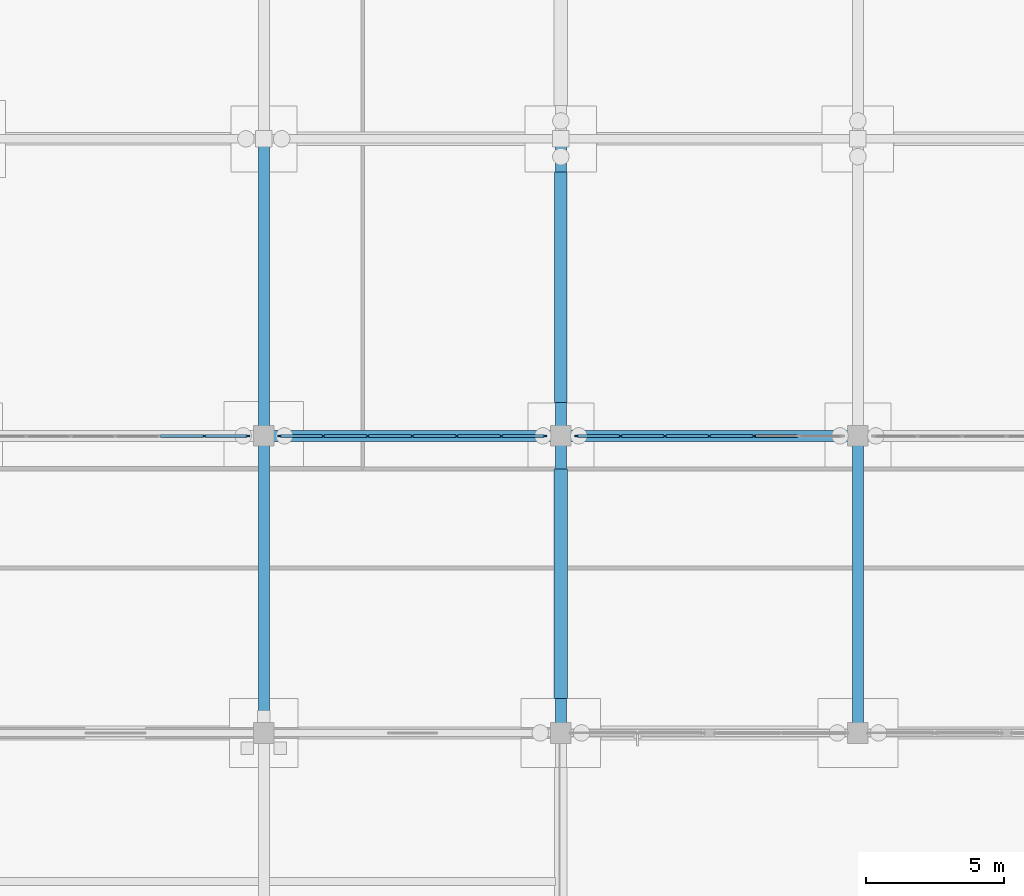
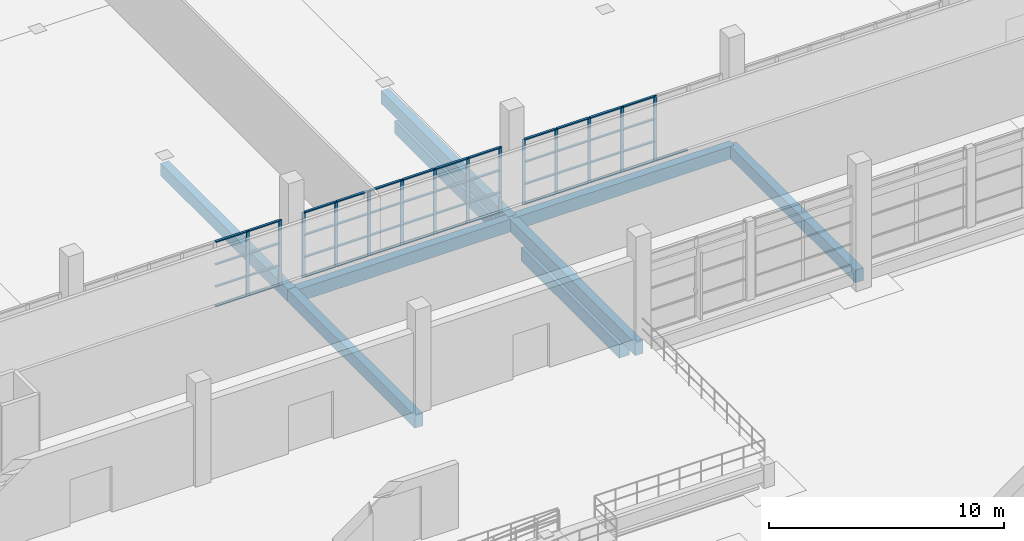
# One storey, part 37 of 138: 63 members, 9 beams, 3 elements without a shape of their own.
"""IFC4 building model written with IfcOpenShell, lengths in metres."""

from ifc_helpers import new_model, si_unit, direction, frame, origin, origin_2d, place, context, subcontext, project, spatial, rectangle, extrude, material, material_profile, profile_set, type_object, element, aggregate, save


model = new_model("IFC4")

# Units and contexts
model_context = context("Model", 3, precision=1e-05, world=origin(), true_north=direction((0.0, 1.0)))
body_context = subcontext(model_context, "Body", "Model", "MODEL_VIEW")
ifc_project = project(units=[si_unit("LENGTHUNIT", "METRE"), si_unit("AREAUNIT", "SQUARE_METRE"), si_unit("VOLUMEUNIT", "CUBIC_METRE"), si_unit("PLANEANGLEUNIT", "RADIAN"), si_unit("MASSUNIT", "GRAM", prefix="KILO")], contexts=[model_context])

# Site, building, storey
site_placement = place(None, origin())
site = spatial("IfcSite", under=ifc_project, at=site_placement, CompositionType="ELEMENT")
building_placement = place(site_placement, origin())
building = spatial("IfcBuilding", under=site, at=building_placement, Name="Zwinboog Wholesale Market", CompositionType="ELEMENT")
storey_placement = place(building_placement, origin())
storey = spatial("IfcBuildingStorey", under=building, at=storey_placement, Name="L00", CompositionType="ELEMENT", Elevation=0.0)

# Beams
ifc_material_1 = material(Name="Precast concrete C45/55", Category="concrete")
ifc_material_profile_1 = material_profile(ifc_material_1, rectangle(XDim=0.39990234375, YDim=0.64990234375, at=origin_2d()), Name="PC 400x650")
ifc_profile_set_1 = profile_set([ifc_material_profile_1], Name="Precast concrete C45/55")
beam_type_1 = type_object("IfcBeamType", Name="BT-05", PredefinedType="BEAM", material=ifc_profile_set_1)
for number, where, z_axis, x_axis, name in (
    (1, (97.199951171875, 54.0, -0.705078125), (1.0, 0.0, 0.0), (0.0, 1.0, 0.0), "BG-05 (BMG-L00-0972-0540-0076)"),
    (2, (108.0, 54.0, -0.705078125), (1.0, 0.0, 0.0), (0.0, 1.0, 0.0), "BG-05 (BMG-L00-1080-0540-0077)"),
    (3, (97.199951171875, 43.199951171875, -0.680908203125), (0.0, 1.0, 0.0), (-1.0, 0.0, 0.0), "BG-05 (BMG-L00-0972-0432-0301)"),
    (4, (97.199951171875, 54.0, -0.680908203125), (0.0, 1.0, 0.0), (-1.0, 0.0, 0.0), "BG-05 (BMG-L00-0972-0540-0302)"),
    (5, (108.0, 43.199951171875, -0.705078125), (0.0, 1.0, 0.0), (-1.0, 0.0, 0.0), "BG-05 (BMG-L00-1080-0432-0311)"),
    (6, (108.0, 54.0, -0.705078125), (0.0, 1.0, 0.0), (-1.0, 0.0, 0.0), "BG-05 (BMG-L00-1080-0540-0312)"),
    (7, (118.800048828125, 43.199951171875, -0.705078125), (0.0, 1.0, 0.0), (-1.0, 0.0, 0.0), "BG-05 (BMG-L00-1188-0432-0321)"),
):
    element("IfcBeam", number, at=place(storey_placement, frame(where, z_axis=z_axis, x_axis=x_axis)), inside=storey, type_object=beam_type_1, Name=name, PredefinedType="BEAM", context=body_context, shape_type="SweptSolid", body=[
        extrude(rectangle(XDim=0.39990234375, YDim=0.64990234375, at=origin_2d()), origin(), (0.0, 0.0, 1.0), 10.800048828125),
    ])
ifc_material_2 = material(Name="Concrete C35/45", Category="concrete")
ifc_material_profile_2 = material_profile(ifc_material_2, rectangle(XDim=0.5, YDim=0.699951171875, at=origin_2d()), Name="RC 500x700")
ifc_profile_set_2 = profile_set([ifc_material_profile_2], Name="Concrete C35/45")
beam_type_2 = type_object("IfcBeamType", Name="BT-12", PredefinedType="USERDEFINED", material=ifc_profile_set_2)
beam_1_placement = place(storey_placement, frame((108.0, 44.455078125, -1.550048828125), z_axis=(0.0, 1.0, 0.0), x_axis=(-1.0, 0.0, 0.0)))
element("IfcBeam", 8, at=beam_1_placement, inside=storey, type_object=beam_type_2, Name="GB-01 (BM-GB-0164)", ObjectType="GROUND_BEAM", PredefinedType="USERDEFINED", context=body_context, shape_type="SweptSolid", body=[
    extrude(rectangle(XDim=0.5, YDim=0.699951171875, at=origin_2d()), origin(), (0.0, 0.0, 1.0), 8.33984375),
])
ifc_material_profile_3 = material_profile(ifc_material_2, rectangle(XDim=0.449951171875, YDim=0.64990234375, at=origin_2d()), Name="RC 450x650")
ifc_profile_set_3 = profile_set([ifc_material_profile_3], Name="Concrete C35/45")
beam_type_3 = type_object("IfcBeamType", Name="BT-13", PredefinedType="USERDEFINED", material=ifc_profile_set_3)
beam_2_placement = place(storey_placement, frame((108.0, 55.205078125, -1.52490234375), z_axis=(0.0, 1.0, 0.0), x_axis=(-1.0, 0.0, 0.0)))
element("IfcBeam", 9, at=beam_2_placement, inside=storey, type_object=beam_type_3, Name="GB-02 (BM-GB-0165)", ObjectType="GROUND_BEAM", PredefinedType="USERDEFINED", context=body_context, shape_type="SweptSolid", body=[
    extrude(rectangle(XDim=0.449951171875, YDim=0.64990234375, at=origin_2d()), origin(), (0.0, 0.0, 1.0), 8.389892578125),
])

# Curtain wall, members
ifc_material_3 = material(Name="Aluminium thermally broken curtain wall", Category="aluminium")
curtain_wall_type = type_object("IfcCurtainWallType", Name="CWT-INT-STALL", PredefinedType="USERDEFINED", material=ifc_material_3)
curtain_wall_1_placement = place(storey_placement, origin())
curtain_wall_1 = element("IfcCurtainWall", 10, at=curtain_wall_1_placement, inside=storey, type_object=curtain_wall_type, Name="CW-07 (CW-STL-183)", ObjectType="STOREFRONT_GLAZING", PredefinedType="USERDEFINED")
ifc_material_4 = material(Name="Aluminium EN AW-6060", Category="aluminium")
ifc_material_profile_4 = material_profile(ifc_material_4, rectangle(XDim=0.06005859375, YDim=0.14990234375, at=origin_2d()), Name="AL 60x150")
ifc_profile_set_4 = profile_set([ifc_material_profile_4], Name="Aluminium EN AW-6060")
member_type_1 = type_object("IfcMemberType", Name="CWM-INT-60x120", PredefinedType="MULLION", material=ifc_profile_set_4)
member_1_placement = place(storey_placement, frame((95.033447265625, 54.0, 0.0), z_axis=(0.0, 0.0, 1.0), x_axis=(0.0, 1.0, 0.0)))
member_1 = element("IfcMember", 11, at=member_1_placement, type_object=member_type_1, Name="CW-07 mullion 6", PredefinedType="MULLION", context=body_context, shape_type="SweptSolid", body=[
    extrude(rectangle(XDim=0.06005859375, YDim=0.14990234375, at=origin_2d()), origin(), (0.0, 0.0, 1.0), 3.39990234375),
])
member_2_placement = place(storey_placement, frame((96.6201171875, 54.0, 0.0), z_axis=(0.0, 0.0, 1.0), x_axis=(0.0, 1.0, 0.0)))
member_2 = element("IfcMember", 12, at=member_2_placement, type_object=member_type_1, Name="CW-07 mullion 7", PredefinedType="MULLION", context=body_context, shape_type="SweptSolid", body=[
    extrude(rectangle(XDim=0.06005859375, YDim=0.14990234375, at=origin_2d()), origin(), (0.0, 0.0, 1.0), 3.39990234375),
])

curtain_wall_2_placement = place(storey_placement, origin())
curtain_wall_2 = element("IfcCurtainWall", 13, at=curtain_wall_2_placement, inside=storey, type_object=curtain_wall_type, Name="CW-07 (CW-STL-184)", ObjectType="STOREFRONT_GLAZING", PredefinedType="USERDEFINED")
member_3_placement = place(storey_placement, frame((97.780029296875, 54.0, 0.0), z_axis=(0.0, 0.0, 1.0), x_axis=(0.0, 1.0, 0.0)))
member_3 = element("IfcMember", 14, at=member_3_placement, type_object=member_type_1, Name="CW-07 mullion 1", PredefinedType="MULLION", context=body_context, shape_type="SweptSolid", body=[
    extrude(rectangle(XDim=0.06005859375, YDim=0.14990234375, at=origin_2d()), origin(), (0.0, 0.0, 1.0), 3.39990234375),
])
member_4_placement = place(storey_placement, frame((99.36669921875, 54.0, 0.0), z_axis=(0.0, 0.0, 1.0), x_axis=(0.0, 1.0, 0.0)))
member_4 = element("IfcMember", 15, at=member_4_placement, type_object=member_type_1, Name="CW-07 mullion 2", PredefinedType="MULLION", context=body_context, shape_type="SweptSolid", body=[
    extrude(rectangle(XDim=0.06005859375, YDim=0.14990234375, at=origin_2d()), origin(), (0.0, 0.0, 1.0), 3.39990234375),
])
member_5_placement = place(storey_placement, frame((100.9833984375, 54.0, 0.0), z_axis=(0.0, 0.0, 1.0), x_axis=(0.0, 1.0, 0.0)))
member_5 = element("IfcMember", 16, at=member_5_placement, type_object=member_type_1, Name="CW-07 mullion 3", PredefinedType="MULLION", context=body_context, shape_type="SweptSolid", body=[
    extrude(rectangle(XDim=0.06005859375, YDim=0.14990234375, at=origin_2d()), origin(), (0.0, 0.0, 1.0), 3.39990234375),
])
member_6_placement = place(storey_placement, frame((102.60009765625, 54.0, 0.0), z_axis=(0.0, 0.0, 1.0), x_axis=(0.0, 1.0, 0.0)))
member_6 = element("IfcMember", 17, at=member_6_placement, type_object=member_type_1, Name="CW-07 mullion 4", PredefinedType="MULLION", context=body_context, shape_type="SweptSolid", body=[
    extrude(rectangle(XDim=0.06005859375, YDim=0.14990234375, at=origin_2d()), origin(), (0.0, 0.0, 1.0), 3.39990234375),
])
member_7_placement = place(storey_placement, frame((104.216552734375, 54.0, 0.0), z_axis=(0.0, 0.0, 1.0), x_axis=(0.0, 1.0, 0.0)))
member_7 = element("IfcMember", 18, at=member_7_placement, type_object=member_type_1, Name="CW-07 mullion 5", PredefinedType="MULLION", context=body_context, shape_type="SweptSolid", body=[
    extrude(rectangle(XDim=0.06005859375, YDim=0.14990234375, at=origin_2d()), origin(), (0.0, 0.0, 1.0), 3.39990234375),
])
member_8_placement = place(storey_placement, frame((105.833251953125, 54.0, 0.0), z_axis=(0.0, 0.0, 1.0), x_axis=(0.0, 1.0, 0.0)))
member_8 = element("IfcMember", 19, at=member_8_placement, type_object=member_type_1, Name="CW-07 mullion 6", PredefinedType="MULLION", context=body_context, shape_type="SweptSolid", body=[
    extrude(rectangle(XDim=0.06005859375, YDim=0.14990234375, at=origin_2d()), origin(), (0.0, 0.0, 1.0), 3.39990234375),
])
member_9_placement = place(storey_placement, frame((107.419921875, 54.0, 0.0), z_axis=(0.0, 0.0, 1.0), x_axis=(0.0, 1.0, 0.0)))
member_9 = element("IfcMember", 20, at=member_9_placement, type_object=member_type_1, Name="CW-07 mullion 7", PredefinedType="MULLION", context=body_context, shape_type="SweptSolid", body=[
    extrude(rectangle(XDim=0.06005859375, YDim=0.14990234375, at=origin_2d()), origin(), (0.0, 0.0, 1.0), 3.39990234375),
])

curtain_wall_3_placement = place(storey_placement, origin())
curtain_wall_3 = element("IfcCurtainWall", 21, at=curtain_wall_3_placement, inside=storey, type_object=curtain_wall_type, Name="CW-07 (CW-STL-185)", ObjectType="STOREFRONT_GLAZING", PredefinedType="USERDEFINED")
member_10_placement = place(storey_placement, frame((108.580078125, 54.0, 0.0), z_axis=(0.0, 0.0, 1.0), x_axis=(0.0, 1.0, 0.0)))
member_10 = element("IfcMember", 22, at=member_10_placement, type_object=member_type_1, Name="CW-07 mullion 1", PredefinedType="MULLION", context=body_context, shape_type="SweptSolid", body=[
    extrude(rectangle(XDim=0.06005859375, YDim=0.14990234375, at=origin_2d()), origin(), (0.0, 0.0, 1.0), 3.39990234375),
])
member_11_placement = place(storey_placement, frame((110.166748046875, 54.0, 0.0), z_axis=(0.0, 0.0, 1.0), x_axis=(0.0, 1.0, 0.0)))
member_11 = element("IfcMember", 23, at=member_11_placement, type_object=member_type_1, Name="CW-07 mullion 2", PredefinedType="MULLION", context=body_context, shape_type="SweptSolid", body=[
    extrude(rectangle(XDim=0.06005859375, YDim=0.14990234375, at=origin_2d()), origin(), (0.0, 0.0, 1.0), 3.39990234375),
])
member_12_placement = place(storey_placement, frame((111.783447265625, 54.0, 0.0), z_axis=(0.0, 0.0, 1.0), x_axis=(0.0, 1.0, 0.0)))
member_12 = element("IfcMember", 24, at=member_12_placement, type_object=member_type_1, Name="CW-07 mullion 3", PredefinedType="MULLION", context=body_context, shape_type="SweptSolid", body=[
    extrude(rectangle(XDim=0.06005859375, YDim=0.14990234375, at=origin_2d()), origin(), (0.0, 0.0, 1.0), 3.39990234375),
])
member_13_placement = place(storey_placement, frame((113.39990234375, 54.0, 0.0), z_axis=(0.0, 0.0, 1.0), x_axis=(0.0, 1.0, 0.0)))
member_13 = element("IfcMember", 25, at=member_13_placement, type_object=member_type_1, Name="CW-07 mullion 4", PredefinedType="MULLION", context=body_context, shape_type="SweptSolid", body=[
    extrude(rectangle(XDim=0.06005859375, YDim=0.14990234375, at=origin_2d()), origin(), (0.0, 0.0, 1.0), 3.39990234375),
])
member_14_placement = place(storey_placement, frame((115.0166015625, 54.0, 0.0), z_axis=(0.0, 0.0, 1.0), x_axis=(0.0, 1.0, 0.0)))
member_14 = element("IfcMember", 26, at=member_14_placement, type_object=member_type_1, Name="CW-07 mullion 5", PredefinedType="MULLION", context=body_context, shape_type="SweptSolid", body=[
    extrude(rectangle(XDim=0.06005859375, YDim=0.14990234375, at=origin_2d()), origin(), (0.0, 0.0, 1.0), 3.39990234375),
])

# Member
ifc_material_profile_5 = material_profile(ifc_material_4, rectangle(XDim=0.110107421875, YDim=0.06005859375, at=origin_2d()), Name="AL 60x110")
ifc_profile_set_5 = profile_set([ifc_material_profile_5], Name="Aluminium EN AW-6060")
member_type_2 = type_object("IfcMemberType", Name="CWT-INT-60x100", PredefinedType="USERDEFINED", material=ifc_profile_set_5)
member_15_placement = place(storey_placement, frame((93.44677734375, 54.0, 0.030029296875), z_axis=(1.0, 0.0, 0.0), x_axis=(0.0, 1.0, 0.0)))
member_15 = element("IfcMember", 27, at=member_15_placement, type_object=member_type_2, Name="CW-07 transom 5.1", ObjectType="TRANSOM", PredefinedType="USERDEFINED", context=body_context, shape_type="SweptSolid", body=[
    extrude(rectangle(XDim=0.110107421875, YDim=0.06005859375, at=origin_2d()), origin(), (0.0, 0.0, 1.0), 1.556640625),
])

member_16_placement = place(storey_placement, frame((93.44677734375, 54.0, 1.050048828125), z_axis=(1.0, 0.0, 0.0), x_axis=(0.0, 1.0, 0.0)))
member_16 = element("IfcMember", 28, at=member_16_placement, type_object=member_type_2, Name="CW-07 transom 5.2", ObjectType="TRANSOM", PredefinedType="USERDEFINED", context=body_context, shape_type="SweptSolid", body=[
    extrude(rectangle(XDim=0.110107421875, YDim=0.06005859375, at=origin_2d()), origin(), (0.0, 0.0, 1.0), 1.556640625),
])

member_17_placement = place(storey_placement, frame((93.44677734375, 54.0, 2.199951171875), z_axis=(1.0, 0.0, 0.0), x_axis=(0.0, 1.0, 0.0)))
member_17 = element("IfcMember", 29, at=member_17_placement, type_object=member_type_2, Name="CW-07 transom 5.3", ObjectType="TRANSOM", PredefinedType="USERDEFINED", context=body_context, shape_type="SweptSolid", body=[
    extrude(rectangle(XDim=0.110107421875, YDim=0.06005859375, at=origin_2d()), origin(), (0.0, 0.0, 1.0), 1.556640625),
])

member_18_placement = place(storey_placement, frame((93.44677734375, 54.0, 3.3701171875), z_axis=(1.0, 0.0, 0.0), x_axis=(0.0, 1.0, 0.0)))
member_18 = element("IfcMember", 30, at=member_18_placement, type_object=member_type_2, Name="CW-07 transom 5.4", ObjectType="TRANSOM", PredefinedType="USERDEFINED", context=body_context, shape_type="SweptSolid", body=[
    extrude(rectangle(XDim=0.110107421875, YDim=0.06005859375, at=origin_2d()), origin(), (0.0, 0.0, 1.0), 1.556640625),
])

member_19_placement = place(storey_placement, frame((95.063232421875, 54.0, 0.030029296875), z_axis=(1.0, 0.0, 0.0), x_axis=(0.0, 1.0, 0.0)))
member_19 = element("IfcMember", 31, at=member_19_placement, type_object=member_type_2, Name="CW-07 transom 6.1", ObjectType="TRANSOM", PredefinedType="USERDEFINED", context=body_context, shape_type="SweptSolid", body=[
    extrude(rectangle(XDim=0.110107421875, YDim=0.06005859375, at=origin_2d()), origin(), (0.0, 0.0, 1.0), 1.52685546875),
])

member_20_placement = place(storey_placement, frame((95.063232421875, 54.0, 1.050048828125), z_axis=(1.0, 0.0, 0.0), x_axis=(0.0, 1.0, 0.0)))
member_20 = element("IfcMember", 32, at=member_20_placement, type_object=member_type_2, Name="CW-07 transom 6.2", ObjectType="TRANSOM", PredefinedType="USERDEFINED", context=body_context, shape_type="SweptSolid", body=[
    extrude(rectangle(XDim=0.110107421875, YDim=0.06005859375, at=origin_2d()), origin(), (0.0, 0.0, 1.0), 1.52685546875),
])

member_21_placement = place(storey_placement, frame((95.063232421875, 54.0, 2.199951171875), z_axis=(1.0, 0.0, 0.0), x_axis=(0.0, 1.0, 0.0)))
member_21 = element("IfcMember", 33, at=member_21_placement, type_object=member_type_2, Name="CW-07 transom 6.3", ObjectType="TRANSOM", PredefinedType="USERDEFINED", context=body_context, shape_type="SweptSolid", body=[
    extrude(rectangle(XDim=0.110107421875, YDim=0.06005859375, at=origin_2d()), origin(), (0.0, 0.0, 1.0), 1.52685546875),
])

member_22_placement = place(storey_placement, frame((95.063232421875, 54.0, 3.3701171875), z_axis=(1.0, 0.0, 0.0), x_axis=(0.0, 1.0, 0.0)))
member_22 = element("IfcMember", 34, at=member_22_placement, type_object=member_type_2, Name="CW-07 transom 6.4", ObjectType="TRANSOM", PredefinedType="USERDEFINED", context=body_context, shape_type="SweptSolid", body=[
    extrude(rectangle(XDim=0.110107421875, YDim=0.06005859375, at=origin_2d()), origin(), (0.0, 0.0, 1.0), 1.52685546875),
])

aggregate(curtain_wall_1, [member_1, member_2, member_15, member_16, member_17, member_18, member_19, member_20, member_21, member_22])

member_23_placement = place(storey_placement, frame((97.81005859375, 54.0, 0.030029296875), z_axis=(1.0, 0.0, 0.0), x_axis=(0.0, 1.0, 0.0)))
member_23 = element("IfcMember", 35, at=member_23_placement, type_object=member_type_2, Name="CW-07 transom 1.1", ObjectType="TRANSOM", PredefinedType="USERDEFINED", context=body_context, shape_type="SweptSolid", body=[
    extrude(rectangle(XDim=0.110107421875, YDim=0.06005859375, at=origin_2d()), origin(), (0.0, 0.0, 1.0), 1.526611328125),
])

member_24_placement = place(storey_placement, frame((97.81005859375, 54.0, 1.050048828125), z_axis=(1.0, 0.0, 0.0), x_axis=(0.0, 1.0, 0.0)))
member_24 = element("IfcMember", 36, at=member_24_placement, type_object=member_type_2, Name="CW-07 transom 1.2", ObjectType="TRANSOM", PredefinedType="USERDEFINED", context=body_context, shape_type="SweptSolid", body=[
    extrude(rectangle(XDim=0.110107421875, YDim=0.06005859375, at=origin_2d()), origin(), (0.0, 0.0, 1.0), 1.526611328125),
])

member_25_placement = place(storey_placement, frame((97.81005859375, 54.0, 2.199951171875), z_axis=(1.0, 0.0, 0.0), x_axis=(0.0, 1.0, 0.0)))
member_25 = element("IfcMember", 37, at=member_25_placement, type_object=member_type_2, Name="CW-07 transom 1.3", ObjectType="TRANSOM", PredefinedType="USERDEFINED", context=body_context, shape_type="SweptSolid", body=[
    extrude(rectangle(XDim=0.110107421875, YDim=0.06005859375, at=origin_2d()), origin(), (0.0, 0.0, 1.0), 1.526611328125),
])

member_26_placement = place(storey_placement, frame((97.81005859375, 54.0, 3.3701171875), z_axis=(1.0, 0.0, 0.0), x_axis=(0.0, 1.0, 0.0)))
member_26 = element("IfcMember", 38, at=member_26_placement, type_object=member_type_2, Name="CW-07 transom 1.4", ObjectType="TRANSOM", PredefinedType="USERDEFINED", context=body_context, shape_type="SweptSolid", body=[
    extrude(rectangle(XDim=0.110107421875, YDim=0.06005859375, at=origin_2d()), origin(), (0.0, 0.0, 1.0), 1.526611328125),
])

member_27_placement = place(storey_placement, frame((99.396728515625, 54.0, 0.030029296875), z_axis=(1.0, 0.0, 0.0), x_axis=(0.0, 1.0, 0.0)))
member_27 = element("IfcMember", 39, at=member_27_placement, type_object=member_type_2, Name="CW-07 transom 2.1", ObjectType="TRANSOM", PredefinedType="USERDEFINED", context=body_context, shape_type="SweptSolid", body=[
    extrude(rectangle(XDim=0.110107421875, YDim=0.06005859375, at=origin_2d()), origin(), (0.0, 0.0, 1.0), 1.556640625),
])

member_28_placement = place(storey_placement, frame((99.396728515625, 54.0, 1.050048828125), z_axis=(1.0, 0.0, 0.0), x_axis=(0.0, 1.0, 0.0)))
member_28 = element("IfcMember", 40, at=member_28_placement, type_object=member_type_2, Name="CW-07 transom 2.2", ObjectType="TRANSOM", PredefinedType="USERDEFINED", context=body_context, shape_type="SweptSolid", body=[
    extrude(rectangle(XDim=0.110107421875, YDim=0.06005859375, at=origin_2d()), origin(), (0.0, 0.0, 1.0), 1.556640625),
])

member_29_placement = place(storey_placement, frame((99.396728515625, 54.0, 2.199951171875), z_axis=(1.0, 0.0, 0.0), x_axis=(0.0, 1.0, 0.0)))
member_29 = element("IfcMember", 41, at=member_29_placement, type_object=member_type_2, Name="CW-07 transom 2.3", ObjectType="TRANSOM", PredefinedType="USERDEFINED", context=body_context, shape_type="SweptSolid", body=[
    extrude(rectangle(XDim=0.110107421875, YDim=0.06005859375, at=origin_2d()), origin(), (0.0, 0.0, 1.0), 1.556640625),
])

member_30_placement = place(storey_placement, frame((99.396728515625, 54.0, 3.3701171875), z_axis=(1.0, 0.0, 0.0), x_axis=(0.0, 1.0, 0.0)))
member_30 = element("IfcMember", 42, at=member_30_placement, type_object=member_type_2, Name="CW-07 transom 2.4", ObjectType="TRANSOM", PredefinedType="USERDEFINED", context=body_context, shape_type="SweptSolid", body=[
    extrude(rectangle(XDim=0.110107421875, YDim=0.06005859375, at=origin_2d()), origin(), (0.0, 0.0, 1.0), 1.556640625),
])

member_31_placement = place(storey_placement, frame((101.013427734375, 54.0, 0.030029296875), z_axis=(1.0, 0.0, 0.0), x_axis=(0.0, 1.0, 0.0)))
member_31 = element("IfcMember", 43, at=member_31_placement, type_object=member_type_2, Name="CW-07 transom 3.1", ObjectType="TRANSOM", PredefinedType="USERDEFINED", context=body_context, shape_type="SweptSolid", body=[
    extrude(rectangle(XDim=0.110107421875, YDim=0.06005859375, at=origin_2d()), origin(), (0.0, 0.0, 1.0), 1.556640625),
])

member_32_placement = place(storey_placement, frame((101.013427734375, 54.0, 1.050048828125), z_axis=(1.0, 0.0, 0.0), x_axis=(0.0, 1.0, 0.0)))
member_32 = element("IfcMember", 44, at=member_32_placement, type_object=member_type_2, Name="CW-07 transom 3.2", ObjectType="TRANSOM", PredefinedType="USERDEFINED", context=body_context, shape_type="SweptSolid", body=[
    extrude(rectangle(XDim=0.110107421875, YDim=0.06005859375, at=origin_2d()), origin(), (0.0, 0.0, 1.0), 1.556640625),
])

member_33_placement = place(storey_placement, frame((101.013427734375, 54.0, 2.199951171875), z_axis=(1.0, 0.0, 0.0), x_axis=(0.0, 1.0, 0.0)))
member_33 = element("IfcMember", 45, at=member_33_placement, type_object=member_type_2, Name="CW-07 transom 3.3", ObjectType="TRANSOM", PredefinedType="USERDEFINED", context=body_context, shape_type="SweptSolid", body=[
    extrude(rectangle(XDim=0.110107421875, YDim=0.06005859375, at=origin_2d()), origin(), (0.0, 0.0, 1.0), 1.556640625),
])

member_34_placement = place(storey_placement, frame((101.013427734375, 54.0, 3.3701171875), z_axis=(1.0, 0.0, 0.0), x_axis=(0.0, 1.0, 0.0)))
member_34 = element("IfcMember", 46, at=member_34_placement, type_object=member_type_2, Name="CW-07 transom 3.4", ObjectType="TRANSOM", PredefinedType="USERDEFINED", context=body_context, shape_type="SweptSolid", body=[
    extrude(rectangle(XDim=0.110107421875, YDim=0.06005859375, at=origin_2d()), origin(), (0.0, 0.0, 1.0), 1.556640625),
])

member_35_placement = place(storey_placement, frame((102.6298828125, 54.0, 0.030029296875), z_axis=(1.0, 0.0, 0.0), x_axis=(0.0, 1.0, 0.0)))
member_35 = element("IfcMember", 47, at=member_35_placement, type_object=member_type_2, Name="CW-07 transom 4.1", ObjectType="TRANSOM", PredefinedType="USERDEFINED", context=body_context, shape_type="SweptSolid", body=[
    extrude(rectangle(XDim=0.110107421875, YDim=0.06005859375, at=origin_2d()), origin(), (0.0, 0.0, 1.0), 1.556884765625),
])

member_36_placement = place(storey_placement, frame((102.6298828125, 54.0, 1.050048828125), z_axis=(1.0, 0.0, 0.0), x_axis=(0.0, 1.0, 0.0)))
member_36 = element("IfcMember", 48, at=member_36_placement, type_object=member_type_2, Name="CW-07 transom 4.2", ObjectType="TRANSOM", PredefinedType="USERDEFINED", context=body_context, shape_type="SweptSolid", body=[
    extrude(rectangle(XDim=0.110107421875, YDim=0.06005859375, at=origin_2d()), origin(), (0.0, 0.0, 1.0), 1.556884765625),
])

member_37_placement = place(storey_placement, frame((102.6298828125, 54.0, 2.199951171875), z_axis=(1.0, 0.0, 0.0), x_axis=(0.0, 1.0, 0.0)))
member_37 = element("IfcMember", 49, at=member_37_placement, type_object=member_type_2, Name="CW-07 transom 4.3", ObjectType="TRANSOM", PredefinedType="USERDEFINED", context=body_context, shape_type="SweptSolid", body=[
    extrude(rectangle(XDim=0.110107421875, YDim=0.06005859375, at=origin_2d()), origin(), (0.0, 0.0, 1.0), 1.556884765625),
])

member_38_placement = place(storey_placement, frame((102.6298828125, 54.0, 3.3701171875), z_axis=(1.0, 0.0, 0.0), x_axis=(0.0, 1.0, 0.0)))
member_38 = element("IfcMember", 50, at=member_38_placement, type_object=member_type_2, Name="CW-07 transom 4.4", ObjectType="TRANSOM", PredefinedType="USERDEFINED", context=body_context, shape_type="SweptSolid", body=[
    extrude(rectangle(XDim=0.110107421875, YDim=0.06005859375, at=origin_2d()), origin(), (0.0, 0.0, 1.0), 1.556884765625),
])

member_39_placement = place(storey_placement, frame((104.24658203125, 54.0, 0.030029296875), z_axis=(1.0, 0.0, 0.0), x_axis=(0.0, 1.0, 0.0)))
member_39 = element("IfcMember", 51, at=member_39_placement, type_object=member_type_2, Name="CW-07 transom 5.1", ObjectType="TRANSOM", PredefinedType="USERDEFINED", context=body_context, shape_type="SweptSolid", body=[
    extrude(rectangle(XDim=0.110107421875, YDim=0.06005859375, at=origin_2d()), origin(), (0.0, 0.0, 1.0), 1.556640625),
])

member_40_placement = place(storey_placement, frame((104.24658203125, 54.0, 1.050048828125), z_axis=(1.0, 0.0, 0.0), x_axis=(0.0, 1.0, 0.0)))
member_40 = element("IfcMember", 52, at=member_40_placement, type_object=member_type_2, Name="CW-07 transom 5.2", ObjectType="TRANSOM", PredefinedType="USERDEFINED", context=body_context, shape_type="SweptSolid", body=[
    extrude(rectangle(XDim=0.110107421875, YDim=0.06005859375, at=origin_2d()), origin(), (0.0, 0.0, 1.0), 1.556640625),
])

member_41_placement = place(storey_placement, frame((104.24658203125, 54.0, 2.199951171875), z_axis=(1.0, 0.0, 0.0), x_axis=(0.0, 1.0, 0.0)))
member_41 = element("IfcMember", 53, at=member_41_placement, type_object=member_type_2, Name="CW-07 transom 5.3", ObjectType="TRANSOM", PredefinedType="USERDEFINED", context=body_context, shape_type="SweptSolid", body=[
    extrude(rectangle(XDim=0.110107421875, YDim=0.06005859375, at=origin_2d()), origin(), (0.0, 0.0, 1.0), 1.556640625),
])

member_42_placement = place(storey_placement, frame((104.24658203125, 54.0, 3.3701171875), z_axis=(1.0, 0.0, 0.0), x_axis=(0.0, 1.0, 0.0)))
member_42 = element("IfcMember", 54, at=member_42_placement, type_object=member_type_2, Name="CW-07 transom 5.4", ObjectType="TRANSOM", PredefinedType="USERDEFINED", context=body_context, shape_type="SweptSolid", body=[
    extrude(rectangle(XDim=0.110107421875, YDim=0.06005859375, at=origin_2d()), origin(), (0.0, 0.0, 1.0), 1.556640625),
])

member_43_placement = place(storey_placement, frame((105.86328125, 54.0, 0.030029296875), z_axis=(1.0, 0.0, 0.0), x_axis=(0.0, 1.0, 0.0)))
member_43 = element("IfcMember", 55, at=member_43_placement, type_object=member_type_2, Name="CW-07 transom 6.1", ObjectType="TRANSOM", PredefinedType="USERDEFINED", context=body_context, shape_type="SweptSolid", body=[
    extrude(rectangle(XDim=0.110107421875, YDim=0.06005859375, at=origin_2d()), origin(), (0.0, 0.0, 1.0), 1.526611328125),
])

member_44_placement = place(storey_placement, frame((105.86328125, 54.0, 1.050048828125), z_axis=(1.0, 0.0, 0.0), x_axis=(0.0, 1.0, 0.0)))
member_44 = element("IfcMember", 56, at=member_44_placement, type_object=member_type_2, Name="CW-07 transom 6.2", ObjectType="TRANSOM", PredefinedType="USERDEFINED", context=body_context, shape_type="SweptSolid", body=[
    extrude(rectangle(XDim=0.110107421875, YDim=0.06005859375, at=origin_2d()), origin(), (0.0, 0.0, 1.0), 1.526611328125),
])

member_45_placement = place(storey_placement, frame((105.86328125, 54.0, 2.199951171875), z_axis=(1.0, 0.0, 0.0), x_axis=(0.0, 1.0, 0.0)))
member_45 = element("IfcMember", 57, at=member_45_placement, type_object=member_type_2, Name="CW-07 transom 6.3", ObjectType="TRANSOM", PredefinedType="USERDEFINED", context=body_context, shape_type="SweptSolid", body=[
    extrude(rectangle(XDim=0.110107421875, YDim=0.06005859375, at=origin_2d()), origin(), (0.0, 0.0, 1.0), 1.526611328125),
])

member_46_placement = place(storey_placement, frame((105.86328125, 54.0, 3.3701171875), z_axis=(1.0, 0.0, 0.0), x_axis=(0.0, 1.0, 0.0)))
member_46 = element("IfcMember", 58, at=member_46_placement, type_object=member_type_2, Name="CW-07 transom 6.4", ObjectType="TRANSOM", PredefinedType="USERDEFINED", context=body_context, shape_type="SweptSolid", body=[
    extrude(rectangle(XDim=0.110107421875, YDim=0.06005859375, at=origin_2d()), origin(), (0.0, 0.0, 1.0), 1.526611328125),
])

aggregate(curtain_wall_2, [member_3, member_4, member_5, member_6, member_7, member_8, member_9, member_23, member_24, member_25, member_26, member_27, member_28, member_29, member_30, member_31, member_32, member_33, member_34, member_35, member_36, member_37, member_38, member_39, member_40, member_41, member_42, member_43, member_44, member_45, member_46])

member_47_placement = place(storey_placement, frame((108.610107421875, 54.0, 0.030029296875), z_axis=(1.0, 0.0, 0.0), x_axis=(0.0, 1.0, 0.0)))
member_47 = element("IfcMember", 59, at=member_47_placement, type_object=member_type_2, Name="CW-07 transom 1.1", ObjectType="TRANSOM", PredefinedType="USERDEFINED", context=body_context, shape_type="SweptSolid", body=[
    extrude(rectangle(XDim=0.110107421875, YDim=0.06005859375, at=origin_2d()), origin(), (0.0, 0.0, 1.0), 1.526611328125),
])

member_48_placement = place(storey_placement, frame((108.610107421875, 54.0, 1.050048828125), z_axis=(1.0, 0.0, 0.0), x_axis=(0.0, 1.0, 0.0)))
member_48 = element("IfcMember", 60, at=member_48_placement, type_object=member_type_2, Name="CW-07 transom 1.2", ObjectType="TRANSOM", PredefinedType="USERDEFINED", context=body_context, shape_type="SweptSolid", body=[
    extrude(rectangle(XDim=0.110107421875, YDim=0.06005859375, at=origin_2d()), origin(), (0.0, 0.0, 1.0), 1.526611328125),
])

member_49_placement = place(storey_placement, frame((108.610107421875, 54.0, 2.199951171875), z_axis=(1.0, 0.0, 0.0), x_axis=(0.0, 1.0, 0.0)))
member_49 = element("IfcMember", 61, at=member_49_placement, type_object=member_type_2, Name="CW-07 transom 1.3", ObjectType="TRANSOM", PredefinedType="USERDEFINED", context=body_context, shape_type="SweptSolid", body=[
    extrude(rectangle(XDim=0.110107421875, YDim=0.06005859375, at=origin_2d()), origin(), (0.0, 0.0, 1.0), 1.526611328125),
])

member_50_placement = place(storey_placement, frame((108.610107421875, 54.0, 3.3701171875), z_axis=(1.0, 0.0, 0.0), x_axis=(0.0, 1.0, 0.0)))
member_50 = element("IfcMember", 62, at=member_50_placement, type_object=member_type_2, Name="CW-07 transom 1.4", ObjectType="TRANSOM", PredefinedType="USERDEFINED", context=body_context, shape_type="SweptSolid", body=[
    extrude(rectangle(XDim=0.110107421875, YDim=0.06005859375, at=origin_2d()), origin(), (0.0, 0.0, 1.0), 1.526611328125),
])

member_51_placement = place(storey_placement, frame((110.19677734375, 54.0, 0.030029296875), z_axis=(1.0, 0.0, 0.0), x_axis=(0.0, 1.0, 0.0)))
member_51 = element("IfcMember", 63, at=member_51_placement, type_object=member_type_2, Name="CW-07 transom 2.1", ObjectType="TRANSOM", PredefinedType="USERDEFINED", context=body_context, shape_type="SweptSolid", body=[
    extrude(rectangle(XDim=0.110107421875, YDim=0.06005859375, at=origin_2d()), origin(), (0.0, 0.0, 1.0), 1.556640625),
])

member_52_placement = place(storey_placement, frame((110.19677734375, 54.0, 1.050048828125), z_axis=(1.0, 0.0, 0.0), x_axis=(0.0, 1.0, 0.0)))
member_52 = element("IfcMember", 64, at=member_52_placement, type_object=member_type_2, Name="CW-07 transom 2.2", ObjectType="TRANSOM", PredefinedType="USERDEFINED", context=body_context, shape_type="SweptSolid", body=[
    extrude(rectangle(XDim=0.110107421875, YDim=0.06005859375, at=origin_2d()), origin(), (0.0, 0.0, 1.0), 1.556640625),
])

member_53_placement = place(storey_placement, frame((110.19677734375, 54.0, 2.199951171875), z_axis=(1.0, 0.0, 0.0), x_axis=(0.0, 1.0, 0.0)))
member_53 = element("IfcMember", 65, at=member_53_placement, type_object=member_type_2, Name="CW-07 transom 2.3", ObjectType="TRANSOM", PredefinedType="USERDEFINED", context=body_context, shape_type="SweptSolid", body=[
    extrude(rectangle(XDim=0.110107421875, YDim=0.06005859375, at=origin_2d()), origin(), (0.0, 0.0, 1.0), 1.556640625),
])

member_54_placement = place(storey_placement, frame((110.19677734375, 54.0, 3.3701171875), z_axis=(1.0, 0.0, 0.0), x_axis=(0.0, 1.0, 0.0)))
member_54 = element("IfcMember", 66, at=member_54_placement, type_object=member_type_2, Name="CW-07 transom 2.4", ObjectType="TRANSOM", PredefinedType="USERDEFINED", context=body_context, shape_type="SweptSolid", body=[
    extrude(rectangle(XDim=0.110107421875, YDim=0.06005859375, at=origin_2d()), origin(), (0.0, 0.0, 1.0), 1.556640625),
])

member_55_placement = place(storey_placement, frame((111.813232421875, 54.0, 0.030029296875), z_axis=(1.0, 0.0, 0.0), x_axis=(0.0, 1.0, 0.0)))
member_55 = element("IfcMember", 67, at=member_55_placement, type_object=member_type_2, Name="CW-07 transom 3.1", ObjectType="TRANSOM", PredefinedType="USERDEFINED", context=body_context, shape_type="SweptSolid", body=[
    extrude(rectangle(XDim=0.110107421875, YDim=0.06005859375, at=origin_2d()), origin(), (0.0, 0.0, 1.0), 1.556884765625),
])

member_56_placement = place(storey_placement, frame((111.813232421875, 54.0, 1.050048828125), z_axis=(1.0, 0.0, 0.0), x_axis=(0.0, 1.0, 0.0)))
member_56 = element("IfcMember", 68, at=member_56_placement, type_object=member_type_2, Name="CW-07 transom 3.2", ObjectType="TRANSOM", PredefinedType="USERDEFINED", context=body_context, shape_type="SweptSolid", body=[
    extrude(rectangle(XDim=0.110107421875, YDim=0.06005859375, at=origin_2d()), origin(), (0.0, 0.0, 1.0), 1.556884765625),
])

member_57_placement = place(storey_placement, frame((111.813232421875, 54.0, 2.199951171875), z_axis=(1.0, 0.0, 0.0), x_axis=(0.0, 1.0, 0.0)))
member_57 = element("IfcMember", 69, at=member_57_placement, type_object=member_type_2, Name="CW-07 transom 3.3", ObjectType="TRANSOM", PredefinedType="USERDEFINED", context=body_context, shape_type="SweptSolid", body=[
    extrude(rectangle(XDim=0.110107421875, YDim=0.06005859375, at=origin_2d()), origin(), (0.0, 0.0, 1.0), 1.556884765625),
])

member_58_placement = place(storey_placement, frame((111.813232421875, 54.0, 3.3701171875), z_axis=(1.0, 0.0, 0.0), x_axis=(0.0, 1.0, 0.0)))
member_58 = element("IfcMember", 70, at=member_58_placement, type_object=member_type_2, Name="CW-07 transom 3.4", ObjectType="TRANSOM", PredefinedType="USERDEFINED", context=body_context, shape_type="SweptSolid", body=[
    extrude(rectangle(XDim=0.110107421875, YDim=0.06005859375, at=origin_2d()), origin(), (0.0, 0.0, 1.0), 1.556884765625),
])

member_59_placement = place(storey_placement, frame((113.429931640625, 54.0, 0.030029296875), z_axis=(1.0, 0.0, 0.0), x_axis=(0.0, 1.0, 0.0)))
member_59 = element("IfcMember", 71, at=member_59_placement, type_object=member_type_2, Name="CW-07 transom 4.1", ObjectType="TRANSOM", PredefinedType="USERDEFINED", context=body_context, shape_type="SweptSolid", body=[
    extrude(rectangle(XDim=0.110107421875, YDim=0.06005859375, at=origin_2d()), origin(), (0.0, 0.0, 1.0), 1.556640625),
])

member_60_placement = place(storey_placement, frame((113.429931640625, 54.0, 1.050048828125), z_axis=(1.0, 0.0, 0.0), x_axis=(0.0, 1.0, 0.0)))
member_60 = element("IfcMember", 72, at=member_60_placement, type_object=member_type_2, Name="CW-07 transom 4.2", ObjectType="TRANSOM", PredefinedType="USERDEFINED", context=body_context, shape_type="SweptSolid", body=[
    extrude(rectangle(XDim=0.110107421875, YDim=0.06005859375, at=origin_2d()), origin(), (0.0, 0.0, 1.0), 1.556640625),
])

member_61_placement = place(storey_placement, frame((113.429931640625, 54.0, 2.199951171875), z_axis=(1.0, 0.0, 0.0), x_axis=(0.0, 1.0, 0.0)))
member_61 = element("IfcMember", 73, at=member_61_placement, type_object=member_type_2, Name="CW-07 transom 4.3", ObjectType="TRANSOM", PredefinedType="USERDEFINED", context=body_context, shape_type="SweptSolid", body=[
    extrude(rectangle(XDim=0.110107421875, YDim=0.06005859375, at=origin_2d()), origin(), (0.0, 0.0, 1.0), 1.556640625),
])

member_62_placement = place(storey_placement, frame((113.429931640625, 54.0, 3.3701171875), z_axis=(1.0, 0.0, 0.0), x_axis=(0.0, 1.0, 0.0)))
member_62 = element("IfcMember", 74, at=member_62_placement, type_object=member_type_2, Name="CW-07 transom 4.4", ObjectType="TRANSOM", PredefinedType="USERDEFINED", context=body_context, shape_type="SweptSolid", body=[
    extrude(rectangle(XDim=0.110107421875, YDim=0.06005859375, at=origin_2d()), origin(), (0.0, 0.0, 1.0), 1.556640625),
])

member_63_placement = place(storey_placement, frame((115.046630859375, 54.0, 0.030029296875), z_axis=(1.0, 0.0, 0.0), x_axis=(0.0, 1.0, 0.0)))
member_63 = element("IfcMember", 75, at=member_63_placement, type_object=member_type_2, Name="CW-07 transom 5.1", ObjectType="TRANSOM", PredefinedType="USERDEFINED", context=body_context, shape_type="SweptSolid", body=[
    extrude(rectangle(XDim=0.110107421875, YDim=0.06005859375, at=origin_2d()), origin(), (0.0, 0.0, 1.0), 1.556640625),
])

aggregate(curtain_wall_3, [member_10, member_11, member_12, member_13, member_14, member_47, member_48, member_49, member_50, member_51, member_52, member_53, member_54, member_55, member_56, member_57, member_58, member_59, member_60, member_61, member_62, member_63])

save(model, "model.ifc")
